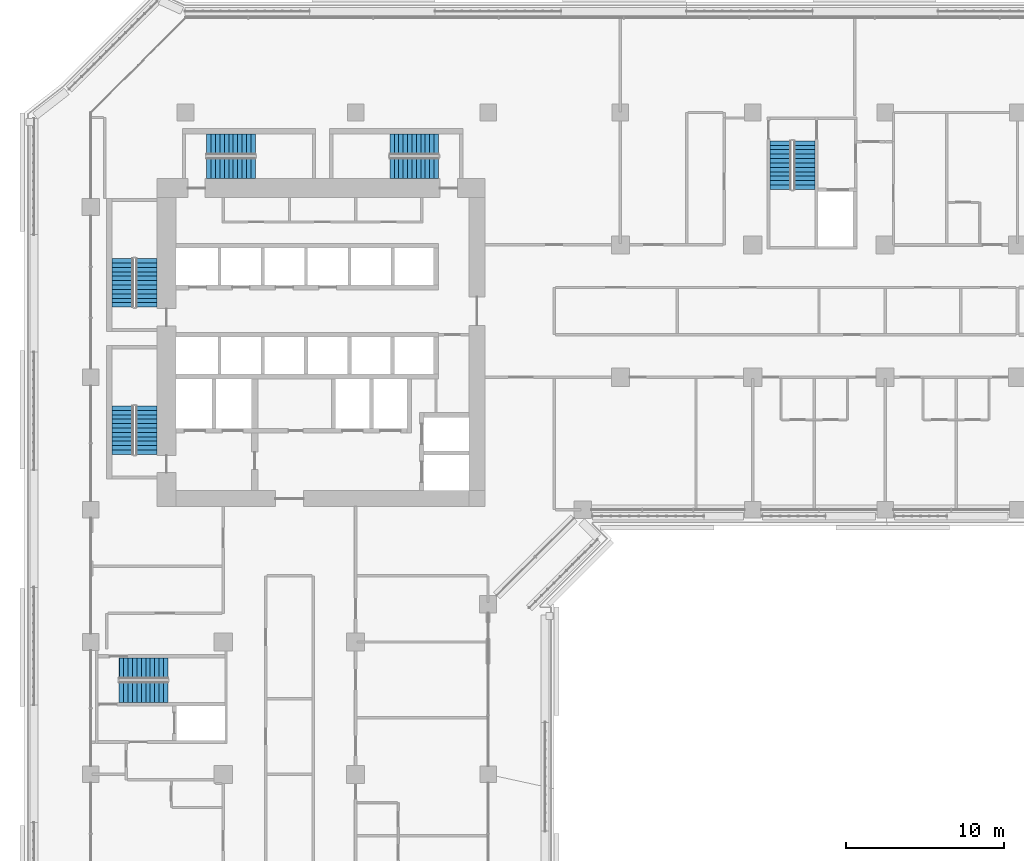
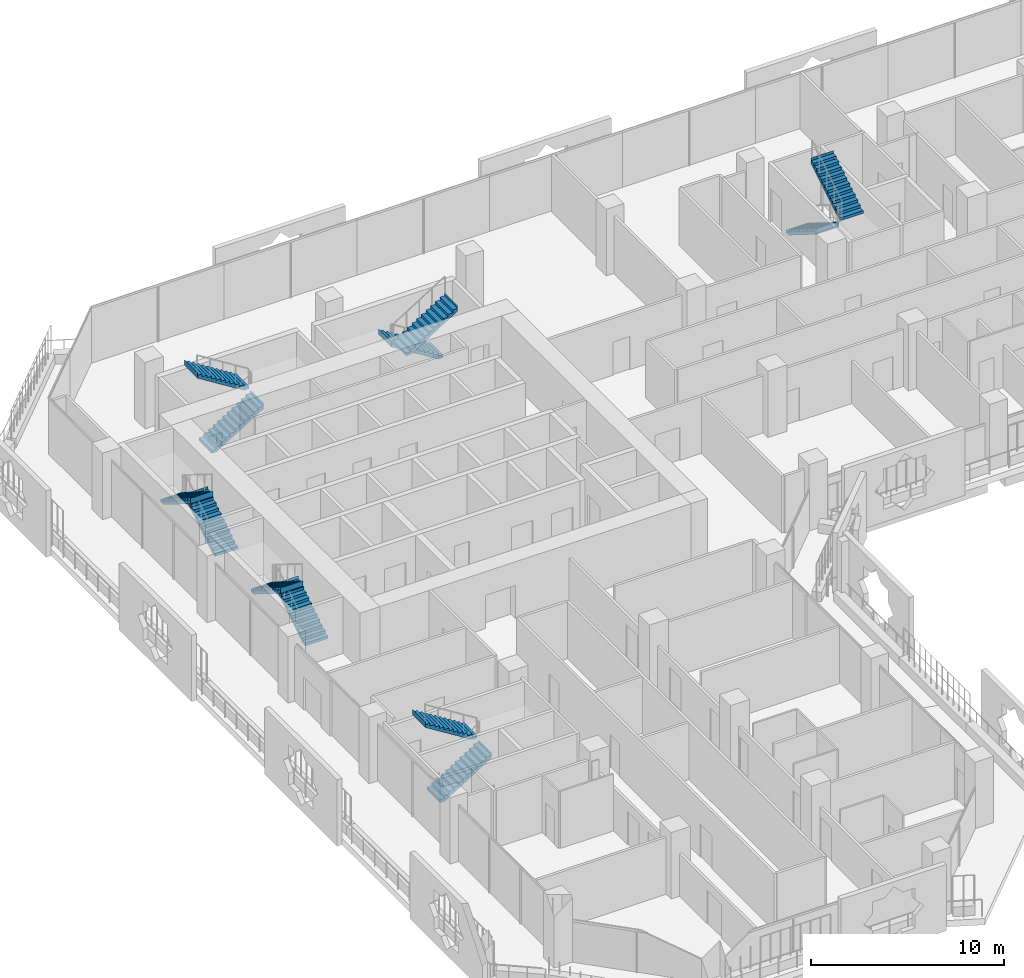
# One storey, part 18 of 25: 12 stair flights, 6 elements without a shape of their own.
"""IFC4 building model written with IfcOpenShell, lengths in metres."""

from ifc_helpers import new_model, si_unit, direction, frame, origin, place, context, subcontext, project, spatial, polyline, outline, extrude, material, type_object, element, aggregate, save


model = new_model("IFC4")

# Units and contexts
model_context = context("Model", 3, precision=1e-05, world=origin(), true_north=direction((0.0, 1.0)))
body_context = subcontext(model_context, "Body", "Model", "MODEL_VIEW")
ifc_project = project(units=[si_unit("LENGTHUNIT", "METRE"), si_unit("AREAUNIT", "SQUARE_METRE"), si_unit("VOLUMEUNIT", "CUBIC_METRE"), si_unit("PLANEANGLEUNIT", "RADIAN"), si_unit("MASSUNIT", "GRAM", prefix="KILO")], contexts=[model_context])

# Site, building, storey
site_placement = place(None, origin())
site = spatial("IfcSite", under=ifc_project, at=site_placement, CompositionType="ELEMENT")
building_placement = place(site_placement, origin())
building = spatial("IfcBuilding", under=site, at=building_placement, Name="Kawkab Arch Medical Tower", CompositionType="ELEMENT")
storey_placement = place(building_placement, frame((0.0, 0.0, 145.0)))
storey = spatial("IfcBuildingStorey", under=building, at=storey_placement, Name="L33", CompositionType="ELEMENT", Elevation=145.0)

# Stair, stair flights
ifc_material_1 = material(Name="Concrete C40/50", Category="concrete")
stair_type = type_object("IfcStairType", Name="Exit stair 1350", PredefinedType="HALF_TURN_STAIR", material=ifc_material_1)
placement = place(storey_placement, origin())
stair_1 = element("IfcStair", 1, at=placement, inside=storey, type_object=stair_type, Name="L33 Exit stair ST1", PredefinedType="HALF_TURN_STAIR")
ifc_material_2 = material(Name="Concrete C40/50", Category="concrete")
stair_flight_type = type_object("IfcStairFlightType", Name="Exit stair flight 1350", PredefinedType="STRAIGHT", material=ifc_material_2)
stair_flight_1_placement = place(storey_placement, frame((3.52490234375, -12.35009765625, 0.0), z_axis=(0.0, 0.0, 1.0), x_axis=(0.0, 1.0, 0.0)))
stair_flight_1 = element("IfcStairFlight", 2, at=stair_flight_1_placement, type_object=stair_flight_type, Name="ST1 flight 1", NumberOfRisers=12, NumberOfTreads=11, PredefinedType="STRAIGHT", RiserHeight=0.175, TreadLength=0.28, context=body_context, shape_type="SweptSolid", body=[
    extrude(outline(polyline([(-0.0029296875, 0.0), (-0.0029296875, 0.175048828125), (0.0, 0.175048828125), (0.280029296875, 0.175048828125), (0.280029296875, 0.35009765625), (0.56005859375, 0.35009765625), (0.56005859375, 0.52490234375), (0.840087890625, 0.52490234375), (0.840087890625, 0.699951171875), (1.1201171875, 0.699951171875), (1.1201171875, 0.875), (1.39990234375, 0.875), (1.39990234375, 1.050048828125), (1.679931640625, 1.050048828125), (1.679931640625, 1.22509765625), (1.9599609375, 1.22509765625), (1.9599609375, 1.39990234375), (2.239990234375, 1.39990234375), (2.239990234375, 1.574951171875), (2.52001953125, 1.574951171875), (2.52001953125, 1.75), (2.800048828125, 1.75), (2.800048828125, 1.925048828125), (3.080078125, 1.925048828125), (3.080078125, 2.10009765625), (3.0830078125, 2.10009765625), (3.0830078125, 1.748291015625), (3.080078125, 1.748291015625), (0.28271484375, 0.0), (-0.0029296875, 0.0)])), frame((0.0, 0.675048828125, 0.0), z_axis=(0.0, -1.0, 0.0), x_axis=(1.0, 0.0, 0.0)), (0.0, 0.0, 1.0), 1.35009765625),
])
stair_flight_2_placement = place(storey_placement, frame((2.02490234375, -9.27001953125, 2.10009765625), z_axis=(0.0, 0.0, 1.0), x_axis=(0.0, -1.0, 0.0)))
stair_flight_2 = element("IfcStairFlight", 3, at=stair_flight_2_placement, type_object=stair_flight_type, Name="ST1 flight 2", NumberOfRisers=12, NumberOfTreads=11, PredefinedType="STRAIGHT", RiserHeight=0.175, TreadLength=0.28, context=body_context, shape_type="SweptSolid", body=[
    extrude(outline(polyline([(-0.0029296875, 0.0), (-0.0029296875, 0.175048828125), (0.0, 0.175048828125), (0.280029296875, 0.175048828125), (0.280029296875, 0.35009765625), (0.56005859375, 0.35009765625), (0.56005859375, 0.52490234375), (0.840087890625, 0.52490234375), (0.840087890625, 0.699951171875), (1.1201171875, 0.699951171875), (1.1201171875, 0.875), (1.39990234375, 0.875), (1.39990234375, 1.050048828125), (1.679931640625, 1.050048828125), (1.679931640625, 1.22509765625), (1.9599609375, 1.22509765625), (1.9599609375, 1.39990234375), (2.239990234375, 1.39990234375), (2.239990234375, 1.574951171875), (2.52001953125, 1.574951171875), (2.52001953125, 1.75), (2.800048828125, 1.75), (2.800048828125, 1.925048828125), (3.080078125, 1.925048828125), (3.080078125, 2.10009765625), (3.0830078125, 2.10009765625), (3.0830078125, 1.748291015625), (3.080078125, 1.748291015625), (0.28271484375, 0.0), (-0.0029296875, 0.0)])), frame((0.0, 0.675048828125, 0.0), z_axis=(0.0, -1.0, 0.0), x_axis=(1.0, 0.0, 0.0)), (0.0, 0.0, 1.0), 1.35009765625),
])
aggregate(stair_1, [stair_flight_1, stair_flight_2])

stair_2 = element("IfcStair", 4, at=placement, inside=storey, type_object=stair_type, Name="L33 Exit stair ST2", PredefinedType="HALF_TURN_STAIR")
stair_flight_3_placement = place(storey_placement, frame((3.52490234375, -21.699951171875, 0.0), z_axis=(0.0, 0.0, 1.0), x_axis=(0.0, 1.0, 0.0)))
stair_flight_3 = element("IfcStairFlight", 5, at=stair_flight_3_placement, type_object=stair_flight_type, Name="ST2 flight 1", NumberOfRisers=12, NumberOfTreads=11, PredefinedType="STRAIGHT", RiserHeight=0.175, TreadLength=0.28, context=body_context, shape_type="SweptSolid", body=[
    extrude(outline(polyline([(-0.0029296875, 0.0), (-0.0029296875, 0.175048828125), (0.0, 0.175048828125), (0.280029296875, 0.175048828125), (0.280029296875, 0.35009765625), (0.56005859375, 0.35009765625), (0.56005859375, 0.52490234375), (0.840087890625, 0.52490234375), (0.840087890625, 0.699951171875), (1.1201171875, 0.699951171875), (1.1201171875, 0.875), (1.39990234375, 0.875), (1.39990234375, 1.050048828125), (1.679931640625, 1.050048828125), (1.679931640625, 1.22509765625), (1.9599609375, 1.22509765625), (1.9599609375, 1.39990234375), (2.239990234375, 1.39990234375), (2.239990234375, 1.574951171875), (2.52001953125, 1.574951171875), (2.52001953125, 1.75), (2.800048828125, 1.75), (2.800048828125, 1.925048828125), (3.080078125, 1.925048828125), (3.080078125, 2.10009765625), (3.0830078125, 2.10009765625), (3.0830078125, 1.748291015625), (3.080078125, 1.748291015625), (0.28271484375, 0.0), (-0.0029296875, 0.0)])), frame((0.0, 0.675048828125, 0.0), z_axis=(0.0, -1.0, 0.0), x_axis=(1.0, 0.0, 0.0)), (0.0, 0.0, 1.0), 1.35009765625),
])
stair_flight_4_placement = place(storey_placement, frame((2.02490234375, -18.6201171875, 2.10009765625), z_axis=(0.0, 0.0, 1.0), x_axis=(0.0, -1.0, 0.0)))
stair_flight_4 = element("IfcStairFlight", 6, at=stair_flight_4_placement, type_object=stair_flight_type, Name="ST2 flight 2", NumberOfRisers=12, NumberOfTreads=11, PredefinedType="STRAIGHT", RiserHeight=0.175, TreadLength=0.28, context=body_context, shape_type="SweptSolid", body=[
    extrude(outline(polyline([(-0.0029296875, 0.0), (-0.0029296875, 0.175048828125), (0.0, 0.175048828125), (0.280029296875, 0.175048828125), (0.280029296875, 0.35009765625), (0.56005859375, 0.35009765625), (0.56005859375, 0.52490234375), (0.840087890625, 0.52490234375), (0.840087890625, 0.699951171875), (1.1201171875, 0.699951171875), (1.1201171875, 0.875), (1.39990234375, 0.875), (1.39990234375, 1.050048828125), (1.679931640625, 1.050048828125), (1.679931640625, 1.22509765625), (1.9599609375, 1.22509765625), (1.9599609375, 1.39990234375), (2.239990234375, 1.39990234375), (2.239990234375, 1.574951171875), (2.52001953125, 1.574951171875), (2.52001953125, 1.75), (2.800048828125, 1.75), (2.800048828125, 1.925048828125), (3.080078125, 1.925048828125), (3.080078125, 2.10009765625), (3.0830078125, 2.10009765625), (3.0830078125, 1.748291015625), (3.080078125, 1.748291015625), (0.28271484375, 0.0), (-0.0029296875, 0.0)])), frame((0.0, 0.675048828125, 0.0), z_axis=(0.0, -1.0, 0.0), x_axis=(1.0, 0.0, 0.0)), (0.0, 0.0, 1.0), 1.35009765625),
])
aggregate(stair_2, [stair_flight_3, stair_flight_4])

stair_3 = element("IfcStair", 7, at=placement, inside=storey, type_object=stair_type, Name="L33 Exit stair ST3", PredefinedType="HALF_TURN_STAIR")
stair_flight_5_placement = place(storey_placement, frame((7.35009765625, -3.52490234375, 0.0), z_axis=(0.0, 0.0, 1.0), x_axis=(1.0, 0.0, 0.0)))
stair_flight_5 = element("IfcStairFlight", 8, at=stair_flight_5_placement, type_object=stair_flight_type, Name="ST3 flight 1", NumberOfRisers=12, NumberOfTreads=11, PredefinedType="STRAIGHT", RiserHeight=0.175, TreadLength=0.28, context=body_context, shape_type="SweptSolid", body=[
    extrude(outline(polyline([(-0.0029296875, 0.0), (-0.0029296875, 0.175048828125), (0.0, 0.175048828125), (0.280029296875, 0.175048828125), (0.280029296875, 0.35009765625), (0.56005859375, 0.35009765625), (0.56005859375, 0.52490234375), (0.840087890625, 0.52490234375), (0.840087890625, 0.699951171875), (1.1201171875, 0.699951171875), (1.1201171875, 0.875), (1.39990234375, 0.875), (1.39990234375, 1.050048828125), (1.679931640625, 1.050048828125), (1.679931640625, 1.22509765625), (1.9599609375, 1.22509765625), (1.9599609375, 1.39990234375), (2.239990234375, 1.39990234375), (2.239990234375, 1.574951171875), (2.52001953125, 1.574951171875), (2.52001953125, 1.75), (2.800048828125, 1.75), (2.800048828125, 1.925048828125), (3.080078125, 1.925048828125), (3.080078125, 2.10009765625), (3.0830078125, 2.10009765625), (3.0830078125, 1.748291015625), (3.080078125, 1.748291015625), (0.28271484375, 0.0), (-0.0029296875, 0.0)])), frame((0.0, 0.675048828125, 0.0), z_axis=(0.0, -1.0, 0.0), x_axis=(1.0, 0.0, 0.0)), (0.0, 0.0, 1.0), 1.35009765625),
])
stair_flight_6_placement = place(storey_placement, frame((10.429931640625, -2.02490234375, 2.10009765625), z_axis=(0.0, 0.0, 1.0), x_axis=(-1.0, 0.0, 0.0)))
stair_flight_6 = element("IfcStairFlight", 9, at=stair_flight_6_placement, type_object=stair_flight_type, Name="ST3 flight 2", NumberOfRisers=12, NumberOfTreads=11, PredefinedType="STRAIGHT", RiserHeight=0.175, TreadLength=0.28, context=body_context, shape_type="SweptSolid", body=[
    extrude(outline(polyline([(-0.0029296875, 0.0), (-0.0029296875, 0.175048828125), (0.0, 0.175048828125), (0.280029296875, 0.175048828125), (0.280029296875, 0.35009765625), (0.56005859375, 0.35009765625), (0.56005859375, 0.52490234375), (0.840087890625, 0.52490234375), (0.840087890625, 0.699951171875), (1.1201171875, 0.699951171875), (1.1201171875, 0.875), (1.39990234375, 0.875), (1.39990234375, 1.050048828125), (1.679931640625, 1.050048828125), (1.679931640625, 1.22509765625), (1.9599609375, 1.22509765625), (1.9599609375, 1.39990234375), (2.239990234375, 1.39990234375), (2.239990234375, 1.574951171875), (2.52001953125, 1.574951171875), (2.52001953125, 1.75), (2.800048828125, 1.75), (2.800048828125, 1.925048828125), (3.080078125, 1.925048828125), (3.080078125, 2.10009765625), (3.0830078125, 2.10009765625), (3.0830078125, 1.748291015625), (3.080078125, 1.748291015625), (0.28271484375, 0.0), (-0.0029296875, 0.0)])), frame((0.0, 0.675048828125, 0.0), z_axis=(0.0, -1.0, 0.0), x_axis=(1.0, 0.0, 0.0)), (0.0, 0.0, 1.0), 1.35009765625),
])
aggregate(stair_3, [stair_flight_5, stair_flight_6])

stair_4 = element("IfcStair", 10, at=placement, inside=storey, type_object=stair_type, Name="L33 Exit stair ST4", PredefinedType="HALF_TURN_STAIR")
stair_flight_7_placement = place(storey_placement, frame((22.050048828125, -2.02490234375, 0.0), z_axis=(0.0, 0.0, 1.0), x_axis=(-1.0, 0.0, 0.0)))
stair_flight_7 = element("IfcStairFlight", 11, at=stair_flight_7_placement, type_object=stair_flight_type, Name="ST4 flight 1", NumberOfRisers=12, NumberOfTreads=11, PredefinedType="STRAIGHT", RiserHeight=0.175, TreadLength=0.28, context=body_context, shape_type="SweptSolid", body=[
    extrude(outline(polyline([(-0.0029296875, 0.0), (-0.0029296875, 0.175048828125), (0.0, 0.175048828125), (0.280029296875, 0.175048828125), (0.280029296875, 0.35009765625), (0.56005859375, 0.35009765625), (0.56005859375, 0.52490234375), (0.840087890625, 0.52490234375), (0.840087890625, 0.699951171875), (1.1201171875, 0.699951171875), (1.1201171875, 0.875), (1.39990234375, 0.875), (1.39990234375, 1.050048828125), (1.679931640625, 1.050048828125), (1.679931640625, 1.22509765625), (1.9599609375, 1.22509765625), (1.9599609375, 1.39990234375), (2.239990234375, 1.39990234375), (2.239990234375, 1.574951171875), (2.52001953125, 1.574951171875), (2.52001953125, 1.75), (2.800048828125, 1.75), (2.800048828125, 1.925048828125), (3.080078125, 1.925048828125), (3.080078125, 2.10009765625), (3.0830078125, 2.10009765625), (3.0830078125, 1.748291015625), (3.080078125, 1.748291015625), (0.28271484375, 0.0), (-0.0029296875, 0.0)])), frame((0.0, 0.675048828125, 0.0), z_axis=(0.0, -1.0, 0.0), x_axis=(1.0, 0.0, 0.0)), (0.0, 0.0, 1.0), 1.35009765625),
])
stair_flight_8_placement = place(storey_placement, frame((18.969970703125, -3.52490234375, 2.10009765625), z_axis=(0.0, 0.0, 1.0), x_axis=(1.0, 0.0, 0.0)))
stair_flight_8 = element("IfcStairFlight", 12, at=stair_flight_8_placement, type_object=stair_flight_type, Name="ST4 flight 2", NumberOfRisers=12, NumberOfTreads=11, PredefinedType="STRAIGHT", RiserHeight=0.175, TreadLength=0.28, context=body_context, shape_type="SweptSolid", body=[
    extrude(outline(polyline([(-0.0029296875, 0.0), (-0.0029296875, 0.175048828125), (0.0, 0.175048828125), (0.280029296875, 0.175048828125), (0.280029296875, 0.35009765625), (0.56005859375, 0.35009765625), (0.56005859375, 0.52490234375), (0.840087890625, 0.52490234375), (0.840087890625, 0.699951171875), (1.1201171875, 0.699951171875), (1.1201171875, 0.875), (1.39990234375, 0.875), (1.39990234375, 1.050048828125), (1.679931640625, 1.050048828125), (1.679931640625, 1.22509765625), (1.9599609375, 1.22509765625), (1.9599609375, 1.39990234375), (2.239990234375, 1.39990234375), (2.239990234375, 1.574951171875), (2.52001953125, 1.574951171875), (2.52001953125, 1.75), (2.800048828125, 1.75), (2.800048828125, 1.925048828125), (3.080078125, 1.925048828125), (3.080078125, 2.10009765625), (3.0830078125, 2.10009765625), (3.0830078125, 1.748291015625), (3.080078125, 1.748291015625), (0.28271484375, 0.0), (-0.0029296875, 0.0)])), frame((0.0, 0.675048828125, 0.0), z_axis=(0.0, -1.0, 0.0), x_axis=(1.0, 0.0, 0.0)), (0.0, 0.0, 1.0), 1.35009765625),
])
aggregate(stair_4, [stair_flight_7, stair_flight_8])

stair_5 = element("IfcStair", 13, at=placement, inside=storey, type_object=stair_type, Name="L33 Exit stair ST5", PredefinedType="HALF_TURN_STAIR")
stair_flight_9_placement = place(storey_placement, frame((43.77490234375, -1.800048828125, 0.0), z_axis=(0.0, 0.0, 1.0), x_axis=(0.0, -1.0, 0.0)))
stair_flight_9 = element("IfcStairFlight", 14, at=stair_flight_9_placement, type_object=stair_flight_type, Name="ST5 flight 1", NumberOfRisers=12, NumberOfTreads=11, PredefinedType="STRAIGHT", RiserHeight=0.175, TreadLength=0.28, context=body_context, shape_type="SweptSolid", body=[
    extrude(outline(polyline([(-0.0029296875, 0.0), (-0.0029296875, 0.175048828125), (0.0, 0.175048828125), (0.280029296875, 0.175048828125), (0.280029296875, 0.35009765625), (0.56005859375, 0.35009765625), (0.56005859375, 0.52490234375), (0.840087890625, 0.52490234375), (0.840087890625, 0.699951171875), (1.1201171875, 0.699951171875), (1.1201171875, 0.875), (1.39990234375, 0.875), (1.39990234375, 1.050048828125), (1.679931640625, 1.050048828125), (1.679931640625, 1.22509765625), (1.9599609375, 1.22509765625), (1.9599609375, 1.39990234375), (2.239990234375, 1.39990234375), (2.239990234375, 1.574951171875), (2.52001953125, 1.574951171875), (2.52001953125, 1.75), (2.800048828125, 1.75), (2.800048828125, 1.925048828125), (3.080078125, 1.925048828125), (3.080078125, 2.10009765625), (3.0830078125, 2.10009765625), (3.0830078125, 1.748291015625), (3.080078125, 1.748291015625), (0.28271484375, 0.0), (-0.0029296875, 0.0)])), frame((0.0, 0.675048828125, 0.0), z_axis=(0.0, -1.0, 0.0), x_axis=(1.0, 0.0, 0.0)), (0.0, 0.0, 1.0), 1.35009765625),
])
stair_flight_10_placement = place(storey_placement, frame((45.27490234375, -4.8798828125, 2.10009765625), z_axis=(0.0, 0.0, 1.0), x_axis=(0.0, 1.0, 0.0)))
stair_flight_10 = element("IfcStairFlight", 15, at=stair_flight_10_placement, type_object=stair_flight_type, Name="ST5 flight 2", NumberOfRisers=12, NumberOfTreads=11, PredefinedType="STRAIGHT", RiserHeight=0.175, TreadLength=0.28, context=body_context, shape_type="SweptSolid", body=[
    extrude(outline(polyline([(-0.0029296875, 0.0), (-0.0029296875, 0.175048828125), (0.0, 0.175048828125), (0.280029296875, 0.175048828125), (0.280029296875, 0.35009765625), (0.56005859375, 0.35009765625), (0.56005859375, 0.52490234375), (0.840087890625, 0.52490234375), (0.840087890625, 0.699951171875), (1.1201171875, 0.699951171875), (1.1201171875, 0.875), (1.39990234375, 0.875), (1.39990234375, 1.050048828125), (1.679931640625, 1.050048828125), (1.679931640625, 1.22509765625), (1.9599609375, 1.22509765625), (1.9599609375, 1.39990234375), (2.239990234375, 1.39990234375), (2.239990234375, 1.574951171875), (2.52001953125, 1.574951171875), (2.52001953125, 1.75), (2.800048828125, 1.75), (2.800048828125, 1.925048828125), (3.080078125, 1.925048828125), (3.080078125, 2.10009765625), (3.0830078125, 2.10009765625), (3.0830078125, 1.748291015625), (3.080078125, 1.748291015625), (0.28271484375, 0.0), (-0.0029296875, 0.0)])), frame((0.0, 0.675048828125, 0.0), z_axis=(0.0, -1.0, 0.0), x_axis=(1.0, 0.0, 0.0)), (0.0, 0.0, 1.0), 1.35009765625),
])
aggregate(stair_5, [stair_flight_9, stair_flight_10])

stair_6 = element("IfcStair", 16, at=placement, inside=storey, type_object=stair_type, Name="L33 Exit stair ST6", PredefinedType="HALF_TURN_STAIR")
stair_flight_11_placement = place(storey_placement, frame((1.800048828125, -36.77490234375, 0.0), z_axis=(0.0, 0.0, 1.0), x_axis=(1.0, 0.0, 0.0)))
stair_flight_11 = element("IfcStairFlight", 17, at=stair_flight_11_placement, type_object=stair_flight_type, Name="ST6 flight 1", NumberOfRisers=12, NumberOfTreads=11, PredefinedType="STRAIGHT", RiserHeight=0.175, TreadLength=0.28, context=body_context, shape_type="SweptSolid", body=[
    extrude(outline(polyline([(-0.0029296875, 0.0), (-0.0029296875, 0.175048828125), (0.0, 0.175048828125), (0.280029296875, 0.175048828125), (0.280029296875, 0.35009765625), (0.56005859375, 0.35009765625), (0.56005859375, 0.52490234375), (0.840087890625, 0.52490234375), (0.840087890625, 0.699951171875), (1.1201171875, 0.699951171875), (1.1201171875, 0.875), (1.39990234375, 0.875), (1.39990234375, 1.050048828125), (1.679931640625, 1.050048828125), (1.679931640625, 1.22509765625), (1.9599609375, 1.22509765625), (1.9599609375, 1.39990234375), (2.239990234375, 1.39990234375), (2.239990234375, 1.574951171875), (2.52001953125, 1.574951171875), (2.52001953125, 1.75), (2.800048828125, 1.75), (2.800048828125, 1.925048828125), (3.080078125, 1.925048828125), (3.080078125, 2.10009765625), (3.0830078125, 2.10009765625), (3.0830078125, 1.748291015625), (3.080078125, 1.748291015625), (0.28271484375, 0.0), (-0.0029296875, 0.0)])), frame((0.0, 0.675048828125, 0.0), z_axis=(0.0, -1.0, 0.0), x_axis=(1.0, 0.0, 0.0)), (0.0, 0.0, 1.0), 1.35009765625),
])
stair_flight_12_placement = place(storey_placement, frame((4.8798828125, -35.27490234375, 2.10009765625), z_axis=(0.0, 0.0, 1.0), x_axis=(-1.0, 0.0, 0.0)))
stair_flight_12 = element("IfcStairFlight", 18, at=stair_flight_12_placement, type_object=stair_flight_type, Name="ST6 flight 2", NumberOfRisers=12, NumberOfTreads=11, PredefinedType="STRAIGHT", RiserHeight=0.175, TreadLength=0.28, context=body_context, shape_type="SweptSolid", body=[
    extrude(outline(polyline([(-0.0029296875, 0.0), (-0.0029296875, 0.175048828125), (0.0, 0.175048828125), (0.280029296875, 0.175048828125), (0.280029296875, 0.35009765625), (0.56005859375, 0.35009765625), (0.56005859375, 0.52490234375), (0.840087890625, 0.52490234375), (0.840087890625, 0.699951171875), (1.1201171875, 0.699951171875), (1.1201171875, 0.875), (1.39990234375, 0.875), (1.39990234375, 1.050048828125), (1.679931640625, 1.050048828125), (1.679931640625, 1.22509765625), (1.9599609375, 1.22509765625), (1.9599609375, 1.39990234375), (2.239990234375, 1.39990234375), (2.239990234375, 1.574951171875), (2.52001953125, 1.574951171875), (2.52001953125, 1.75), (2.800048828125, 1.75), (2.800048828125, 1.925048828125), (3.080078125, 1.925048828125), (3.080078125, 2.10009765625), (3.0830078125, 2.10009765625), (3.0830078125, 1.748291015625), (3.080078125, 1.748291015625), (0.28271484375, 0.0), (-0.0029296875, 0.0)])), frame((0.0, 0.675048828125, 0.0), z_axis=(0.0, -1.0, 0.0), x_axis=(1.0, 0.0, 0.0)), (0.0, 0.0, 1.0), 1.35009765625),
])
aggregate(stair_6, [stair_flight_11, stair_flight_12])

save(model, "model.ifc")
